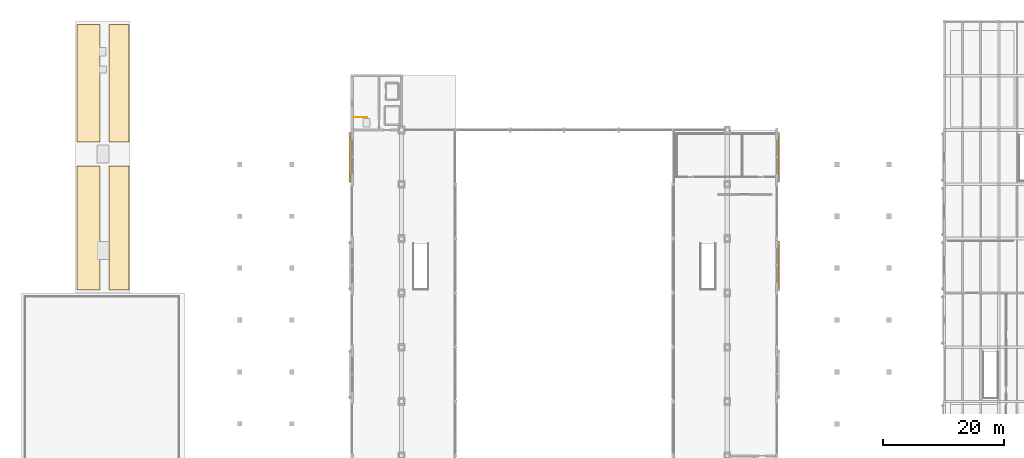
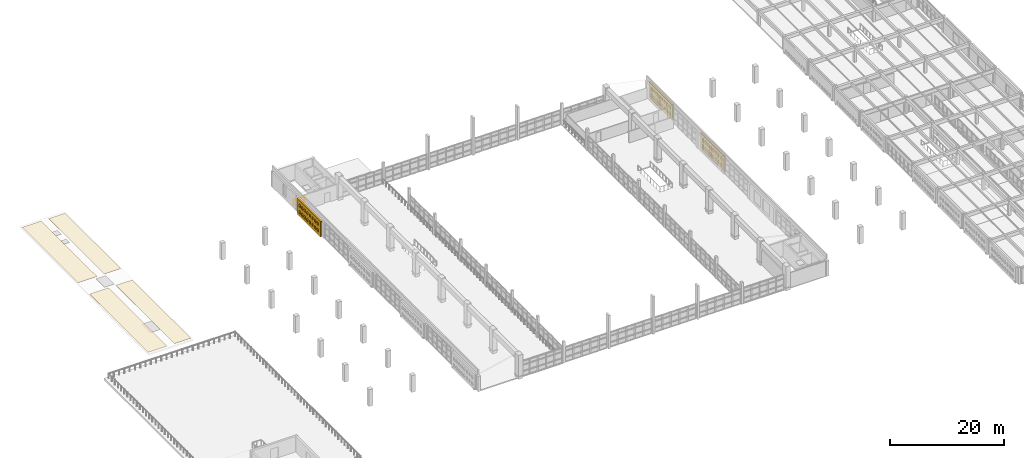
# One storey, part 76 of 80: 7 coverings, 1 railing.
"""IFC4 building model written with IfcOpenShell, lengths in metres."""

from ifc_helpers import new_model, si_unit, direction, frame, origin, origin_2d, place, context, subcontext, project, spatial, polyline, circle, outline, extrude, material, layer, layer_set, type_object, element, save


model = new_model("IFC4")

# Units and contexts
model_context = context("Model", 3, precision=1e-05, world=origin(), true_north=direction((0.0, 1.0)))
body_context = subcontext(model_context, "Body", "Model", "MODEL_VIEW")
ifc_project = project(units=[si_unit("LENGTHUNIT", "METRE"), si_unit("AREAUNIT", "SQUARE_METRE"), si_unit("VOLUMEUNIT", "CUBIC_METRE"), si_unit("PLANEANGLEUNIT", "RADIAN"), si_unit("MASSUNIT", "GRAM", prefix="KILO")], contexts=[model_context])

# Site, building, storey
site_placement = place(None, origin())
site = spatial("IfcSite", under=ifc_project, at=site_placement, CompositionType="ELEMENT")
building_placement = place(site_placement, origin())
building = spatial("IfcBuilding", under=site, at=building_placement, Name="Ornek Quay Market", CompositionType="ELEMENT")
storey_placement = place(building_placement, frame((0.0, 0.0, 8.39990234375)))
storey = spatial("IfcBuildingStorey", under=building, at=storey_placement, Name="L02", CompositionType="ELEMENT", Elevation=8.39990234375)

# Coverings
ifc_material_1 = material(Name="Frost-resistant facing clay brick M200 F100", Category="masonry")
ifc_layer_1 = layer(ifc_material_1, 0.2900390625, Name="Frost-resistant facing clay brick M200 F100", Category="masonry")
ifc_layer_set_1 = layer_set([ifc_layer_1], Name="Frost-resistant facing clay brick M200 F100")
covering_type_1 = type_object("IfcCoveringType", Name="COV-BRICK-LATTICE-290", PredefinedType="CLADDING", material=ifc_layer_set_1)
covering_1_placement = place(storey_placement, frame((54.4599609375, 83.39990234375, 0.0), z_axis=(0.0, 0.0, 1.0), x_axis=(0.0, 1.0, 0.0)))
element("IfcCovering", 1, at=covering_1_placement, inside=storey, type_object=covering_type_1, Name="Arched brick lattice screen BLS-058", PredefinedType="CLADDING", context=body_context, shape_type="SweptSolid", body=[
    extrude(outline(polyline([(0.0, 0.0), (8.2001953125, 0.0), (8.2001953125, 3.2900390625), (0.0, 3.2900390625), (0.0, 0.0)]), holes=[polyline([(0.7099609375, 0.550048828125), (1.18994140625, 0.550048828125), (1.18994140625, 1.050048828125), (1.070068359375, 1.2578125), (0.830078125, 1.2578125), (0.7099609375, 1.050048828125), (0.7099609375, 0.550048828125)]), polyline([(0.7099609375, 1.949951171875), (1.18994140625, 1.949951171875), (1.18994140625, 2.449951171875), (1.070068359375, 2.65771484375), (0.830078125, 2.65771484375), (0.7099609375, 2.449951171875), (0.7099609375, 1.949951171875)]), polyline([(1.610107421875, 0.550048828125), (2.090087890625, 0.550048828125), (2.090087890625, 1.050048828125), (1.969970703125, 1.2578125), (1.72998046875, 1.2578125), (1.610107421875, 1.050048828125), (1.610107421875, 0.550048828125)]), polyline([(1.610107421875, 1.949951171875), (2.090087890625, 1.949951171875), (2.090087890625, 2.449951171875), (1.969970703125, 2.65771484375), (1.72998046875, 2.65771484375), (1.610107421875, 2.449951171875), (1.610107421875, 1.949951171875)]), polyline([(2.510009765625, 0.550048828125), (2.989990234375, 0.550048828125), (2.989990234375, 1.050048828125), (2.8701171875, 1.2578125), (2.6298828125, 1.2578125), (2.510009765625, 1.050048828125), (2.510009765625, 0.550048828125)]), polyline([(2.510009765625, 1.949951171875), (2.989990234375, 1.949951171875), (2.989990234375, 2.449951171875), (2.8701171875, 2.65771484375), (2.6298828125, 2.65771484375), (2.510009765625, 2.449951171875), (2.510009765625, 1.949951171875)]), polyline([(3.409912109375, 0.550048828125), (3.889892578125, 0.550048828125), (3.889892578125, 1.050048828125), (3.77001953125, 1.2578125), (3.530029296875, 1.2578125), (3.409912109375, 1.050048828125), (3.409912109375, 0.550048828125)]), polyline([(3.409912109375, 1.949951171875), (3.889892578125, 1.949951171875), (3.889892578125, 2.449951171875), (3.77001953125, 2.65771484375), (3.530029296875, 2.65771484375), (3.409912109375, 2.449951171875), (3.409912109375, 1.949951171875)]), polyline([(4.31005859375, 0.550048828125), (4.7900390625, 0.550048828125), (4.7900390625, 1.050048828125), (4.669921875, 1.2578125), (4.429931640625, 1.2578125), (4.31005859375, 1.050048828125), (4.31005859375, 0.550048828125)]), polyline([(4.31005859375, 1.949951171875), (4.7900390625, 1.949951171875), (4.7900390625, 2.449951171875), (4.669921875, 2.65771484375), (4.429931640625, 2.65771484375), (4.31005859375, 2.449951171875), (4.31005859375, 1.949951171875)]), polyline([(5.2099609375, 0.550048828125), (5.68994140625, 0.550048828125), (5.68994140625, 1.050048828125), (5.570068359375, 1.2578125), (5.330078125, 1.2578125), (5.2099609375, 1.050048828125), (5.2099609375, 0.550048828125)]), polyline([(5.2099609375, 1.949951171875), (5.68994140625, 1.949951171875), (5.68994140625, 2.449951171875), (5.570068359375, 2.65771484375), (5.330078125, 2.65771484375), (5.2099609375, 2.449951171875), (5.2099609375, 1.949951171875)]), polyline([(6.110107421875, 0.550048828125), (6.590087890625, 0.550048828125), (6.590087890625, 1.050048828125), (6.469970703125, 1.2578125), (6.22998046875, 1.2578125), (6.110107421875, 1.050048828125), (6.110107421875, 0.550048828125)]), polyline([(6.110107421875, 1.949951171875), (6.590087890625, 1.949951171875), (6.590087890625, 2.449951171875), (6.469970703125, 2.65771484375), (6.22998046875, 2.65771484375), (6.110107421875, 2.449951171875), (6.110107421875, 1.949951171875)]), polyline([(7.010009765625, 0.550048828125), (7.489990234375, 0.550048828125), (7.489990234375, 1.050048828125), (7.3701171875, 1.2578125), (7.1298828125, 1.2578125), (7.010009765625, 1.050048828125), (7.010009765625, 0.550048828125)]), polyline([(7.010009765625, 1.949951171875), (7.489990234375, 1.949951171875), (7.489990234375, 2.449951171875), (7.3701171875, 2.65771484375), (7.1298828125, 2.65771484375), (7.010009765625, 2.449951171875), (7.010009765625, 1.949951171875)])]), frame((0.0, 0.14501953125, 0.0), z_axis=(0.0, -1.0, 0.0), x_axis=(1.0, 0.0, 0.0)), (0.0, 0.0, 1.0), 0.2900390625),
])
covering_2_placement = place(storey_placement, frame((125.5400390625, 65.39990234375, 0.0), z_axis=(0.0, 0.0, 1.0), x_axis=(0.0, 1.0, 0.0)))
element("IfcCovering", 2, at=covering_2_placement, inside=storey, type_object=covering_type_1, Name="Arched brick lattice screen BLS-060", PredefinedType="CLADDING", context=body_context, shape_type="SweptSolid", body=[
    extrude(outline(polyline([(0.0, 0.0), (8.2001953125, 0.0), (8.2001953125, 3.2900390625), (0.0, 3.2900390625), (0.0, 0.0)]), holes=[polyline([(0.7099609375, 0.550048828125), (1.18994140625, 0.550048828125), (1.18994140625, 1.050048828125), (1.070068359375, 1.2578125), (0.830078125, 1.2578125), (0.7099609375, 1.050048828125), (0.7099609375, 0.550048828125)]), polyline([(0.7099609375, 1.949951171875), (1.18994140625, 1.949951171875), (1.18994140625, 2.449951171875), (1.070068359375, 2.65771484375), (0.830078125, 2.65771484375), (0.7099609375, 2.449951171875), (0.7099609375, 1.949951171875)]), polyline([(1.610107421875, 0.550048828125), (2.090087890625, 0.550048828125), (2.090087890625, 1.050048828125), (1.969970703125, 1.2578125), (1.72998046875, 1.2578125), (1.610107421875, 1.050048828125), (1.610107421875, 0.550048828125)]), polyline([(1.610107421875, 1.949951171875), (2.090087890625, 1.949951171875), (2.090087890625, 2.449951171875), (1.969970703125, 2.65771484375), (1.72998046875, 2.65771484375), (1.610107421875, 2.449951171875), (1.610107421875, 1.949951171875)]), polyline([(2.510009765625, 0.550048828125), (2.989990234375, 0.550048828125), (2.989990234375, 1.050048828125), (2.8701171875, 1.2578125), (2.6298828125, 1.2578125), (2.510009765625, 1.050048828125), (2.510009765625, 0.550048828125)]), polyline([(2.510009765625, 1.949951171875), (2.989990234375, 1.949951171875), (2.989990234375, 2.449951171875), (2.8701171875, 2.65771484375), (2.6298828125, 2.65771484375), (2.510009765625, 2.449951171875), (2.510009765625, 1.949951171875)]), polyline([(3.409912109375, 0.550048828125), (3.889892578125, 0.550048828125), (3.889892578125, 1.050048828125), (3.77001953125, 1.2578125), (3.530029296875, 1.2578125), (3.409912109375, 1.050048828125), (3.409912109375, 0.550048828125)]), polyline([(3.409912109375, 1.949951171875), (3.889892578125, 1.949951171875), (3.889892578125, 2.449951171875), (3.77001953125, 2.65771484375), (3.530029296875, 2.65771484375), (3.409912109375, 2.449951171875), (3.409912109375, 1.949951171875)]), polyline([(4.31005859375, 0.550048828125), (4.7900390625, 0.550048828125), (4.7900390625, 1.050048828125), (4.669921875, 1.2578125), (4.429931640625, 1.2578125), (4.31005859375, 1.050048828125), (4.31005859375, 0.550048828125)]), polyline([(4.31005859375, 1.949951171875), (4.7900390625, 1.949951171875), (4.7900390625, 2.449951171875), (4.669921875, 2.65771484375), (4.429931640625, 2.65771484375), (4.31005859375, 2.449951171875), (4.31005859375, 1.949951171875)]), polyline([(5.2099609375, 0.550048828125), (5.68994140625, 0.550048828125), (5.68994140625, 1.050048828125), (5.570068359375, 1.2578125), (5.330078125, 1.2578125), (5.2099609375, 1.050048828125), (5.2099609375, 0.550048828125)]), polyline([(5.2099609375, 1.949951171875), (5.68994140625, 1.949951171875), (5.68994140625, 2.449951171875), (5.570068359375, 2.65771484375), (5.330078125, 2.65771484375), (5.2099609375, 2.449951171875), (5.2099609375, 1.949951171875)]), polyline([(6.110107421875, 0.550048828125), (6.590087890625, 0.550048828125), (6.590087890625, 1.050048828125), (6.469970703125, 1.2578125), (6.22998046875, 1.2578125), (6.110107421875, 1.050048828125), (6.110107421875, 0.550048828125)]), polyline([(6.110107421875, 1.949951171875), (6.590087890625, 1.949951171875), (6.590087890625, 2.449951171875), (6.469970703125, 2.65771484375), (6.22998046875, 2.65771484375), (6.110107421875, 2.449951171875), (6.110107421875, 1.949951171875)]), polyline([(7.010009765625, 0.550048828125), (7.489990234375, 0.550048828125), (7.489990234375, 1.050048828125), (7.3701171875, 1.2578125), (7.1298828125, 1.2578125), (7.010009765625, 1.050048828125), (7.010009765625, 0.550048828125)]), polyline([(7.010009765625, 1.949951171875), (7.489990234375, 1.949951171875), (7.489990234375, 2.449951171875), (7.3701171875, 2.65771484375), (7.1298828125, 2.65771484375), (7.010009765625, 2.449951171875), (7.010009765625, 1.949951171875)])]), frame((0.0, 0.14501953125, 0.0), z_axis=(0.0, -1.0, 0.0), x_axis=(1.0, 0.0, 0.0)), (0.0, 0.0, 1.0), 0.2900390625),
])
covering_3_placement = place(storey_placement, frame((125.5400390625, 83.39990234375, 0.0), z_axis=(0.0, 0.0, 1.0), x_axis=(0.0, 1.0, 0.0)))
element("IfcCovering", 3, at=covering_3_placement, inside=storey, type_object=covering_type_1, Name="Arched brick lattice screen BLS-061", PredefinedType="CLADDING", context=body_context, shape_type="SweptSolid", body=[
    extrude(outline(polyline([(0.0, 0.0), (8.2001953125, 0.0), (8.2001953125, 3.2900390625), (0.0, 3.2900390625), (0.0, 0.0)]), holes=[polyline([(0.7099609375, 0.550048828125), (1.18994140625, 0.550048828125), (1.18994140625, 1.050048828125), (1.070068359375, 1.2578125), (0.830078125, 1.2578125), (0.7099609375, 1.050048828125), (0.7099609375, 0.550048828125)]), polyline([(0.7099609375, 1.949951171875), (1.18994140625, 1.949951171875), (1.18994140625, 2.449951171875), (1.070068359375, 2.65771484375), (0.830078125, 2.65771484375), (0.7099609375, 2.449951171875), (0.7099609375, 1.949951171875)]), polyline([(1.610107421875, 0.550048828125), (2.090087890625, 0.550048828125), (2.090087890625, 1.050048828125), (1.969970703125, 1.2578125), (1.72998046875, 1.2578125), (1.610107421875, 1.050048828125), (1.610107421875, 0.550048828125)]), polyline([(1.610107421875, 1.949951171875), (2.090087890625, 1.949951171875), (2.090087890625, 2.449951171875), (1.969970703125, 2.65771484375), (1.72998046875, 2.65771484375), (1.610107421875, 2.449951171875), (1.610107421875, 1.949951171875)]), polyline([(2.510009765625, 0.550048828125), (2.989990234375, 0.550048828125), (2.989990234375, 1.050048828125), (2.8701171875, 1.2578125), (2.6298828125, 1.2578125), (2.510009765625, 1.050048828125), (2.510009765625, 0.550048828125)]), polyline([(2.510009765625, 1.949951171875), (2.989990234375, 1.949951171875), (2.989990234375, 2.449951171875), (2.8701171875, 2.65771484375), (2.6298828125, 2.65771484375), (2.510009765625, 2.449951171875), (2.510009765625, 1.949951171875)]), polyline([(3.409912109375, 0.550048828125), (3.889892578125, 0.550048828125), (3.889892578125, 1.050048828125), (3.77001953125, 1.2578125), (3.530029296875, 1.2578125), (3.409912109375, 1.050048828125), (3.409912109375, 0.550048828125)]), polyline([(3.409912109375, 1.949951171875), (3.889892578125, 1.949951171875), (3.889892578125, 2.449951171875), (3.77001953125, 2.65771484375), (3.530029296875, 2.65771484375), (3.409912109375, 2.449951171875), (3.409912109375, 1.949951171875)]), polyline([(4.31005859375, 0.550048828125), (4.7900390625, 0.550048828125), (4.7900390625, 1.050048828125), (4.669921875, 1.2578125), (4.429931640625, 1.2578125), (4.31005859375, 1.050048828125), (4.31005859375, 0.550048828125)]), polyline([(4.31005859375, 1.949951171875), (4.7900390625, 1.949951171875), (4.7900390625, 2.449951171875), (4.669921875, 2.65771484375), (4.429931640625, 2.65771484375), (4.31005859375, 2.449951171875), (4.31005859375, 1.949951171875)]), polyline([(5.2099609375, 0.550048828125), (5.68994140625, 0.550048828125), (5.68994140625, 1.050048828125), (5.570068359375, 1.2578125), (5.330078125, 1.2578125), (5.2099609375, 1.050048828125), (5.2099609375, 0.550048828125)]), polyline([(5.2099609375, 1.949951171875), (5.68994140625, 1.949951171875), (5.68994140625, 2.449951171875), (5.570068359375, 2.65771484375), (5.330078125, 2.65771484375), (5.2099609375, 2.449951171875), (5.2099609375, 1.949951171875)]), polyline([(6.110107421875, 0.550048828125), (6.590087890625, 0.550048828125), (6.590087890625, 1.050048828125), (6.469970703125, 1.2578125), (6.22998046875, 1.2578125), (6.110107421875, 1.050048828125), (6.110107421875, 0.550048828125)]), polyline([(6.110107421875, 1.949951171875), (6.590087890625, 1.949951171875), (6.590087890625, 2.449951171875), (6.469970703125, 2.65771484375), (6.22998046875, 2.65771484375), (6.110107421875, 2.449951171875), (6.110107421875, 1.949951171875)]), polyline([(7.010009765625, 0.550048828125), (7.489990234375, 0.550048828125), (7.489990234375, 1.050048828125), (7.3701171875, 1.2578125), (7.1298828125, 1.2578125), (7.010009765625, 1.050048828125), (7.010009765625, 0.550048828125)]), polyline([(7.010009765625, 1.949951171875), (7.489990234375, 1.949951171875), (7.489990234375, 2.449951171875), (7.3701171875, 2.65771484375), (7.1298828125, 2.65771484375), (7.010009765625, 2.449951171875), (7.010009765625, 1.949951171875)])]), frame((0.0, 0.14501953125, 0.0), z_axis=(0.0, -1.0, 0.0), x_axis=(1.0, 0.0, 0.0)), (0.0, 0.0, 1.0), 0.2900390625),
])
ifc_material_2 = material(Name="Standing-seam pre-weathered zinc roofing", Category="other")
ifc_layer_2 = layer(ifc_material_2, 0.02490234375, Name="Standing-seam pre-weathered zinc roofing", Category="other")
ifc_layer_set_2 = layer_set([ifc_layer_2], Name="Standing-seam pre-weathered zinc roofing")
covering_type_2 = type_object("IfcCoveringType", Name="COV-ROOF-ZINC-25", PredefinedType="ROOFING", material=ifc_layer_set_2)
covering_4_placement = place(storey_placement, frame((0.0, 0.0, 2.0)))
element("IfcCovering", 4, at=covering_4_placement, inside=storey, type_object=covering_type_2, Name="Standing-seam zinc roofing RFG-20", PredefinedType="ROOFING", context=body_context, shape_type="SweptSolid", body=[
    extrude(outline(polyline([(9.199951171875, 65.5), (13.0, 65.5), (13.0, 86.0), (9.199951171875, 86.0), (9.199951171875, 65.5)])), origin(), (0.0, 0.0, 1.0), 0.025146484375),
])
covering_5_placement = place(storey_placement, frame((0.0, 0.0, 2.0)))
element("IfcCovering", 5, at=covering_5_placement, inside=storey, type_object=covering_type_2, Name="Standing-seam zinc roofing RFG-21", PredefinedType="ROOFING", context=body_context, shape_type="SweptSolid", body=[
    extrude(outline(polyline([(14.5, 65.5), (17.800048828125, 65.5), (17.800048828125, 86.0), (14.5, 86.0), (14.5, 65.5)])), origin(), (0.0, 0.0, 1.0), 0.025146484375),
])
covering_6_placement = place(storey_placement, frame((0.0, 0.0, 2.0)))
element("IfcCovering", 6, at=covering_6_placement, inside=storey, type_object=covering_type_2, Name="Standing-seam zinc roofing RFG-22", PredefinedType="ROOFING", context=body_context, shape_type="SweptSolid", body=[
    extrude(outline(polyline([(9.199951171875, 90.0), (13.0, 90.0), (13.0, 109.5), (9.199951171875, 109.5), (9.199951171875, 90.0)])), origin(), (0.0, 0.0, 1.0), 0.025146484375),
])
covering_7_placement = place(storey_placement, frame((0.0, 0.0, 2.0)))
element("IfcCovering", 7, at=covering_7_placement, inside=storey, type_object=covering_type_2, Name="Standing-seam zinc roofing RFG-23", PredefinedType="ROOFING", context=body_context, shape_type="SweptSolid", body=[
    extrude(outline(polyline([(14.5, 90.0), (17.800048828125, 90.0), (17.800048828125, 109.5), (14.5, 109.5), (14.5, 90.0)])), origin(), (0.0, 0.0, 1.0), 0.025146484375),
])

# Railing
ifc_material_3 = material(Name="Brushed stainless steel 316", Category="steel")
railing_type = type_object("IfcRailingType", Name="RL-GUARD-STAIR-1100", PredefinedType="GUARDRAIL", material=ifc_material_3)
railing_placement = place(storey_placement, frame((55.1201171875, 94.1201171875, 0.0)))
element("IfcRailing", 8, at=railing_placement, inside=storey, type_object=railing_type, Name="Railing GR-03-024", PredefinedType="GUARDRAIL", context=body_context, shape_type="SweptSolid", body=[
    extrude(circle(Radius=0.02392578125, at=origin_2d()), frame((0.0, 0.0, 1.09619140625), z_axis=(1.0, 0.0, 0.0), x_axis=(0.0, 1.0, 0.0)), (0.0, 0.0, 1.0), 2.179931640625),
    extrude(circle(Radius=0.02099609375, at=origin_2d()), origin(), (0.0, 0.0, 1.0), 1.068115234375),
    extrude(circle(Radius=0.02099609375, at=origin_2d()), frame((1.08984375, 0.0, 0.0)), (0.0, 0.0, 1.0), 1.068115234375),
    extrude(circle(Radius=0.02099609375, at=origin_2d()), frame((2.179931640625, 0.0, 0.0)), (0.0, 0.0, 1.0), 1.068115234375),
])

save(model, "model.ifc")
